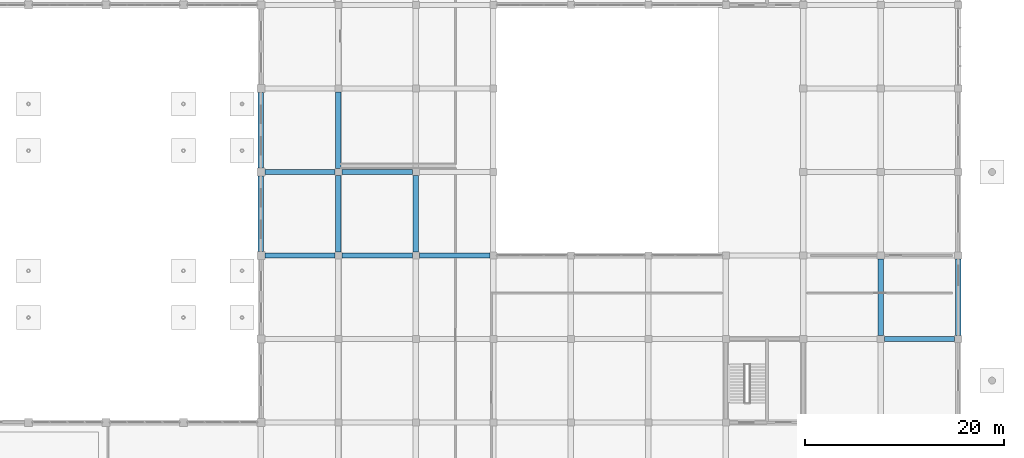
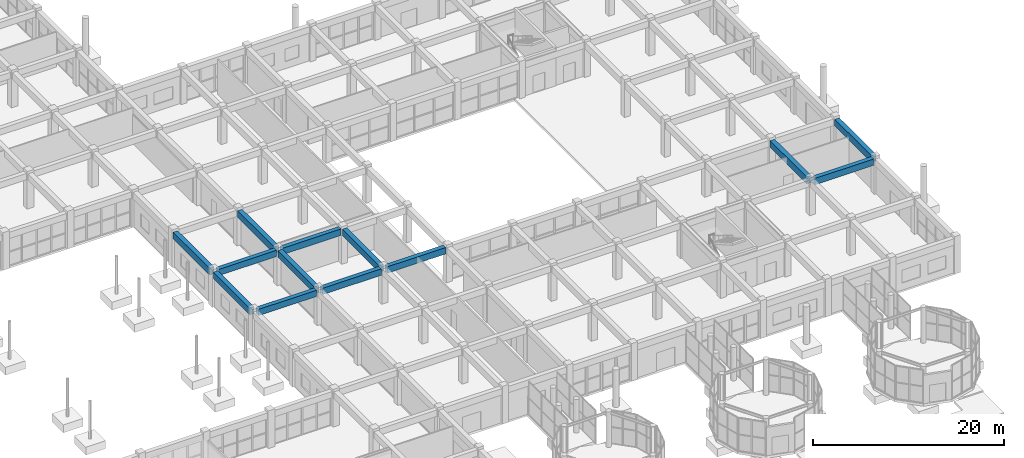
# One storey, part 70 of 139: 13 beams.
"""IFC4 building model written with IfcOpenShell, lengths in metres."""

import ifcopenshell
import ifcopenshell.guid

model = None  # the IFC model being written
_history = None  # IfcOwnerHistory: only IFC2X3 demands one
_inside = {}  # id of a spatial element -> (the spatial element, [elements in it])
_under = {}  # id of a project, library or spatial element -> (it, [spatial elements below it])
_declared = {}  # id of a project -> (the project, [libraries it declares])
_typed = {}  # id of a type object -> (the type object, [elements of that type])
_made_of = {}  # id of a material, layer set ... -> (it, [elements and type objects made of it])


def new_model(schema):
    """Start an empty IFC model of exactly this schema.

    Asked for "IFC4X3", IfcOpenShell would pick the latest addendum, in which some entities
    have other attributes; the version numbers below select the first issue.
    IFC2X3 requires an IfcOwnerHistory on every rooted entity: one is made here for all.
    """
    global model, _history
    if schema == "IFC4X3":
        model = ifcopenshell.file(schema_version=(4, 3, 0, 0))
    else:
        model = ifcopenshell.file(schema=schema)
    _inside.clear()
    _under.clear()
    _declared.clear()
    _typed.clear()
    _made_of.clear()
    _history = None
    if model.schema == "IFC2X3":
        org = make("IfcOrganization", Name="unknown")
        user = make(
            "IfcPersonAndOrganization",
            ThePerson=make("IfcPerson", FamilyName="unknown"),
            TheOrganization=org,
        )
        app = make(
            "IfcApplication",
            ApplicationDeveloper=org,
            Version="unknown",
            ApplicationFullName="unknown",
            ApplicationIdentifier="unknown",
        )
        _history = make(
            "IfcOwnerHistory",
            OwningUser=user,
            OwningApplication=app,
            ChangeAction="ADDED",
            CreationDate=0,
        )
    return model


def make(cls, **values):
    """One entity of the class cls with the attributes given. An attribute that is None is left unset."""
    return model.create_entity(
        cls, **{name: value for name, value in values.items() if value is not None}
    )


def rooted(cls, **values):
    """An entity with a GlobalId (a new one), such as an element, a storey or a relation."""
    return make(cls, GlobalId=ifcopenshell.guid.new(), OwnerHistory=_history, **values)


def si_unit(unit_type, name, prefix=None):
    """IfcSIUnit, for example si_unit("LENGTHUNIT", "METRE", prefix="MILLI")."""
    return make("IfcSIUnit", UnitType=unit_type, Prefix=prefix, Name=name)


def assignment(units):
    """IfcUnitAssignment: the units of a project."""
    return None if units is None else make("IfcUnitAssignment", Units=units)


def point(xyz):
    """IfcCartesianPoint."""
    return None if xyz is None else make("IfcCartesianPoint", Coordinates=xyz)


def direction(xyz):
    """IfcDirection."""
    return None if xyz is None else make("IfcDirection", DirectionRatios=xyz)


def frame(location, z_axis=None, x_axis=None):
    """IfcAxis2Placement3D, a coordinate frame: its origin and axes. An axis left out is left unset."""
    return make(
        "IfcAxis2Placement3D",
        Location=point(location),
        Axis=direction(z_axis),
        RefDirection=direction(x_axis),
    )


def frame_2d(location, x_axis=None):
    """IfcAxis2Placement2D, a coordinate frame in the plane: its origin and x axis."""
    return make(
        "IfcAxis2Placement2D", Location=point(location), RefDirection=direction(x_axis)
    )


def origin():
    """The frame at (0, 0, 0) with its axes left unset."""
    return frame((0.0, 0.0, 0.0))


def origin_2d():
    """The frame at (0, 0) in the plane with its x axis left unset."""
    return frame_2d((0.0, 0.0))


def place(relative_to, where):
    """IfcLocalPlacement: puts the frame where relative to a parent placement (None: the world)."""
    return make(
        "IfcLocalPlacement", PlacementRelTo=relative_to, RelativePlacement=where
    )


def context(
    kind, dimensions, precision=None, world=None, true_north=None, identifier=None
):
    """IfcGeometricRepresentationContext, for example the 3D "Model" context."""
    return make(
        "IfcGeometricRepresentationContext",
        ContextIdentifier=identifier,
        ContextType=kind,
        CoordinateSpaceDimension=dimensions,
        Precision=precision,
        WorldCoordinateSystem=world,
        TrueNorth=true_north,
    )


def subcontext(parent, identifier, kind, view, scale=None):
    """IfcGeometricRepresentationSubContext, for example "Body" below "Model"."""
    return make(
        "IfcGeometricRepresentationSubContext",
        ContextIdentifier=identifier,
        ContextType=kind,
        ParentContext=parent,
        TargetScale=scale,
        TargetView=view,
    )


def project(units=None, contexts=None):
    """IfcProject with its units and contexts."""
    return rooted(
        "IfcProject",
        Name="project",
        RepresentationContexts=contexts,
        UnitsInContext=assignment(units),
    )


def spatial(cls, under=None, at=None, **own):
    """A site, building, storey or space (cls), placed at a placement, below another one or the project."""
    s = rooted(cls, ObjectPlacement=at, **own)
    if under is not None:
        _under.setdefault(under.id(), (under, []))[1].append(s)
    return s


def profile(cls, at=None, kind="AREA", **sizes):
    """A parametric profile (cls). Its sizes go by their IFC names, for example OverallWidth=200.0."""
    return make(cls, ProfileType=kind, Position=at, **sizes)


def rectangle(**sizes):
    """IfcRectangleProfileDef."""
    return profile("IfcRectangleProfileDef", **sizes)


def extrude(swept, where, along, depth):
    """IfcExtrudedAreaSolid: the profile swept, set in the frame where, extruded along a direction by depth."""
    return make(
        "IfcExtrudedAreaSolid",
        SweptArea=swept,
        Position=where,
        ExtrudedDirection=direction(along),
        Depth=depth,
    )


def shape(context_of_items, identifier, shape_type, items):
    """IfcShapeRepresentation: the items that make up one representation, for example the "Body"."""
    return make(
        "IfcShapeRepresentation",
        ContextOfItems=context_of_items,
        RepresentationIdentifier=identifier,
        RepresentationType=shape_type,
        Items=items,
    )


def material(Name=None, Category=None):
    """IfcMaterial."""
    return make("IfcMaterial", Name=Name, Category=Category)


def material_profile(
    of_material, cross_section, Name=None, Category=None, Priority=None
):
    """IfcMaterialProfile: a cross section and its material."""
    return make(
        "IfcMaterialProfile",
        Name=Name,
        Material=of_material,
        Profile=cross_section,
        Priority=Priority,
        Category=Category,
    )


def profile_set(profiles, Name=None, composite=None):
    """IfcMaterialProfileSet."""
    return make(
        "IfcMaterialProfileSet",
        Name=Name,
        MaterialProfiles=profiles,
        CompositeProfile=composite,
    )


def made_of(thing, what):
    """Note that an element or type object is made of a material, layer set ...; save() writes the relation."""
    if what is not None:
        _made_of.setdefault(what.id(), (what, []))[1].append(thing)
    return thing


def type_object(cls, material=None, **own):
    """A type object (cls), such as IfcWallType, which elements share."""
    return made_of(rooted(cls, **own), material)


def element(
    cls,
    number,
    at=None,
    inside=None,
    cuts=None,
    type_object=None,
    material=None,
    context=None,
    identifier="Body",
    shape_type=None,
    held_by="IfcProductDefinitionShape",
    body=None,
    shapes=None,
    **own,
):
    """One element of the class cls, such as IfcWall. Its Tag is "e" and its number.

    at: its placement. inside: the storey or other place that contains it. cuts: it is an
    opening in that element (IfcRelVoidsElement). A single representation is given by context,
    identifier, shape_type and body (its items); several are given by shapes. held_by: the class
    of the entity that holds the representations. save() writes the other relations.
    """
    e = rooted(cls, Tag="e%d" % number, ObjectPlacement=at, **own)
    if body is not None:
        shapes = [shape(context, identifier, shape_type, body)]
    if shapes is not None:
        e.Representation = make(held_by, Representations=shapes)
    if inside is not None:
        _inside.setdefault(inside.id(), (inside, []))[1].append(e)
    if cuts is not None:
        rooted(
            "IfcRelVoidsElement", RelatingBuildingElement=cuts, RelatedOpeningElement=e
        )
    if type_object is not None:
        _typed.setdefault(type_object.id(), (type_object, []))[1].append(e)
    return made_of(e, material)


def aggregate(whole, parts):
    """IfcRelAggregates: a whole, such as a stair, and the parts it consists of."""
    return rooted("IfcRelAggregates", RelatingObject=whole, RelatedObjects=parts)


def save(model, path):
    """Write the relations noted so far, then the file.

    IfcRelAggregates (storeys below a building ...), IfcRelContainedInSpatialStructure (elements
    in a storey), IfcRelDefinesByType, IfcRelAssociatesMaterial and IfcRelDeclares: one each for
    every whole, place, type object, material and project.
    """
    for whole, parts in _under.values():
        aggregate(whole, parts)
    for where, things in _inside.values():
        rooted(
            "IfcRelContainedInSpatialStructure",
            RelatedElements=things,
            RelatingStructure=where,
        )
    for kind, things in _typed.values():
        rooted("IfcRelDefinesByType", RelatedObjects=things, RelatingType=kind)
    for what, things in _made_of.values():
        rooted("IfcRelAssociatesMaterial", RelatedObjects=things, RelatingMaterial=what)
    for by, libraries in _declared.values():
        rooted("IfcRelDeclares", RelatingContext=by, RelatedDefinitions=libraries)
    model.write(path)


model = new_model("IFC4")

# Units and contexts
model_context = context("Model", 3, precision=1e-05, world=origin(), true_north=direction((0.0, 1.0)))
body_context = subcontext(model_context, "Body", "Model", "MODEL_VIEW")
ifc_project = project(units=[si_unit("LENGTHUNIT", "METRE"), si_unit("AREAUNIT", "SQUARE_METRE"), si_unit("VOLUMEUNIT", "CUBIC_METRE"), si_unit("PLANEANGLEUNIT", "RADIAN"), si_unit("MASSUNIT", "GRAM", prefix="KILO")], contexts=[model_context])

# Site, building, storey
site_placement = place(None, origin())
site = spatial("IfcSite", under=ifc_project, at=site_placement, CompositionType="ELEMENT")
building_placement = place(site_placement, origin())
building = spatial("IfcBuilding", under=site, at=building_placement, Name="Zizhar Promenade General Hospital", CompositionType="ELEMENT")
storey_placement = place(building_placement, origin())
storey = spatial("IfcBuildingStorey", under=building, at=storey_placement, Name="L00", CompositionType="ELEMENT", Elevation=0.0)

# Beams
ifc_material_1 = material(Name="Concrete C35/45", Category="concrete")
ifc_material_profile_1 = material_profile(ifc_material_1, rectangle(XDim=0.5, YDim=0.800048828125, at=origin_2d()))
ifc_profile_set_1 = profile_set([ifc_material_profile_1], Name="Concrete C35/45")
beam_type_1 = type_object("IfcBeamType", Name="BM-RC-500x800", PredefinedType="BEAM", material=ifc_profile_set_1)
for number, where, z_axis, x_axis, name in (
    (1, (125.199951171875, 67.199951171875, 4.070068359375), (1.0, 0.0, 0.0), (0.0, 1.0, 0.0), "Grid Beam X L00 (16-8)"),
    (2, (125.199951171875, 75.60009765625, 4.070068359375), (1.0, 0.0, 0.0), (0.0, 1.0, 0.0), "Grid Beam X L00 (16-9)"),
):
    element("IfcBeam", number, at=place(storey_placement, frame(where, z_axis=z_axis, x_axis=x_axis)), inside=storey, type_object=beam_type_1, Name=name, PredefinedType="BEAM", context=body_context, shape_type="SweptSolid", body=[
        extrude(rectangle(XDim=0.5, YDim=0.800048828125, at=origin_2d()), origin(), (0.0, 0.0, 1.0), 7.0400390625),
    ])
ifc_material_2 = material(Name="Concrete C35/45", Category="concrete")
ifc_material_profile_2 = material_profile(ifc_material_2, rectangle(XDim=0.52001953125, YDim=0.820068359375, at=origin_2d()))
ifc_profile_set_2 = profile_set([ifc_material_profile_2], Name="Concrete C35/45")
beam_type_2 = type_object("IfcBeamType", Name="BM-RC-520x820", PredefinedType="BEAM", material=ifc_profile_set_2)
for number, where, z_axis, x_axis, name in (
    (3, (132.9599609375, 67.199951171875, 4.06005859375), (1.0, 0.0, 0.0), (0.0, 1.0, 0.0), "Grid Beam X L00 (17-8)"),
    (4, (132.9599609375, 75.60009765625, 4.06005859375), (1.0, 0.0, 0.0), (0.0, 1.0, 0.0), "Grid Beam X L00 (17-9)"),
    (5, (140.760009765625, 67.199951171875, 4.06005859375), (1.0, 0.0, 0.0), (0.0, 1.0, 0.0), "Grid Beam X L00 (18-8)"),
):
    element("IfcBeam", number, at=place(storey_placement, frame(where, z_axis=z_axis, x_axis=x_axis)), inside=storey, type_object=beam_type_2, Name=name, PredefinedType="BEAM", context=body_context, shape_type="SweptSolid", body=[
        extrude(rectangle(XDim=0.52001953125, YDim=0.820068359375, at=origin_2d()), origin(), (0.0, 0.0, 1.0), 7.080078125),
    ])
beam_1_placement = place(storey_placement, frame((187.56005859375, 58.800048828125, 4.06005859375), z_axis=(1.0, 0.0, 0.0), x_axis=(0.0, 1.0, 0.0)))
element("IfcBeam", 6, at=beam_1_placement, inside=storey, type_object=beam_type_2, Name="Grid Beam X L00 (24-7)", PredefinedType="BEAM", context=body_context, shape_type="SweptSolid", body=[
    extrude(rectangle(XDim=0.52001953125, YDim=0.820068359375, at=origin_2d()), origin(), (0.0, 0.0, 1.0), 7.079833984375),
])
ifc_material_3 = material(Name="Concrete C35/45", Category="concrete")
ifc_material_profile_3 = material_profile(ifc_material_3, rectangle(XDim=0.550048828125, YDim=0.85009765625, at=origin_2d()))
ifc_profile_set_3 = profile_set([ifc_material_profile_3], Name="Concrete C35/45")
beam_type_3 = type_object("IfcBeamType", Name="BM-RC-550x850", PredefinedType="BEAM", material=ifc_profile_set_3)
beam_2_placement = place(storey_placement, frame((124.800048828125, 67.60009765625, 4.044921875), z_axis=(0.0, 1.0, 0.0), x_axis=(-1.0, 0.0, 0.0)))
element("IfcBeam", 7, at=beam_2_placement, inside=storey, type_object=beam_type_3, Name="Grid Beam Y L00 (16-8)", PredefinedType="BEAM", context=body_context, shape_type="SweptSolid", body=[
    extrude(rectangle(XDim=0.550048828125, YDim=0.85009765625, at=origin_2d()), origin(), (0.0, 0.0, 1.0), 7.599853515625),
])
beam_3_placement = place(storey_placement, frame((124.800048828125, 76.0, 4.044921875), z_axis=(0.0, 1.0, 0.0), x_axis=(-1.0, 0.0, 0.0)))
element("IfcBeam", 8, at=beam_3_placement, inside=storey, type_object=beam_type_3, Name="Grid Beam Y L00 (16-9)", PredefinedType="BEAM", context=body_context, shape_type="SweptSolid", body=[
    extrude(rectangle(XDim=0.550048828125, YDim=0.85009765625, at=origin_2d()), origin(), (0.0, 0.0, 1.0), 7.60009765625),
])
for number, where, z_axis, x_axis, name in (
    (9, (132.60009765625, 67.56005859375, 4.044921875), (0.0, 1.0, 0.0), (-1.0, 0.0, 0.0), "Grid Beam Y L00 (17-8)"),
    (10, (132.60009765625, 75.9599609375, 4.044921875), (0.0, 1.0, 0.0), (-1.0, 0.0, 0.0), "Grid Beam Y L00 (17-9)"),
    (11, (140.39990234375, 67.56005859375, 4.044921875), (0.0, 1.0, 0.0), (-1.0, 0.0, 0.0), "Grid Beam Y L00 (18-8)"),
):
    element("IfcBeam", number, at=place(storey_placement, frame(where, z_axis=z_axis, x_axis=x_axis)), inside=storey, type_object=beam_type_3, Name=name, PredefinedType="BEAM", context=body_context, shape_type="SweptSolid", body=[
        extrude(rectangle(XDim=0.550048828125, YDim=0.85009765625, at=origin_2d()), origin(), (0.0, 0.0, 1.0), 7.679931640625),
    ])
for number, where, z_axis, x_axis, name in (
    (12, (187.199951171875, 59.159912109375, 4.044921875), (0.0, 1.0, 0.0), (-1.0, 0.0, 0.0), "Grid Beam Y L00 (24-7)"),
    (13, (195.0, 59.159912109375, 4.044921875), (0.0, 1.0, 0.0), (-1.0, 0.0, 0.0), "Grid Beam Y L00 (25-7)"),
):
    element("IfcBeam", number, at=place(storey_placement, frame(where, z_axis=z_axis, x_axis=x_axis)), inside=storey, type_object=beam_type_3, Name=name, PredefinedType="BEAM", context=body_context, shape_type="SweptSolid", body=[
        extrude(rectangle(XDim=0.550048828125, YDim=0.85009765625, at=origin_2d()), origin(), (0.0, 0.0, 1.0), 7.68017578125),
    ])

save(model, "model.ifc")
